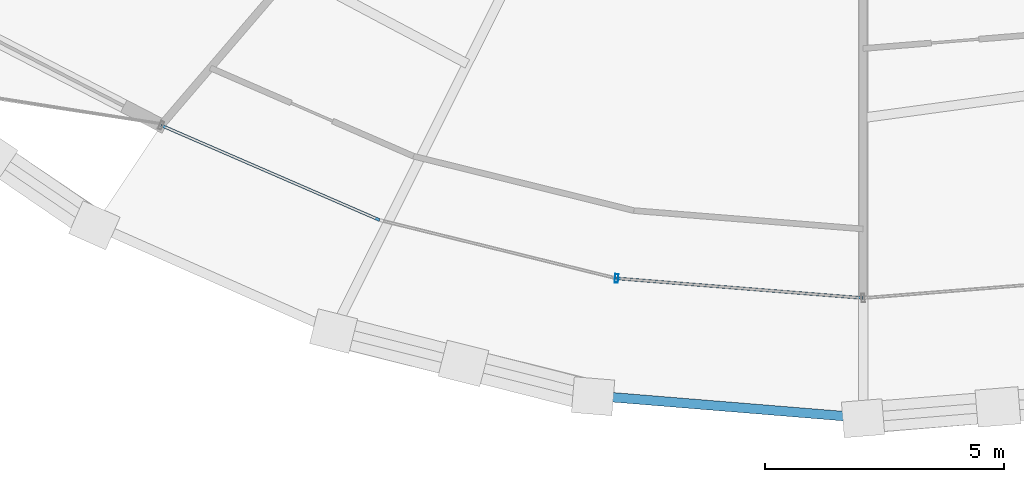
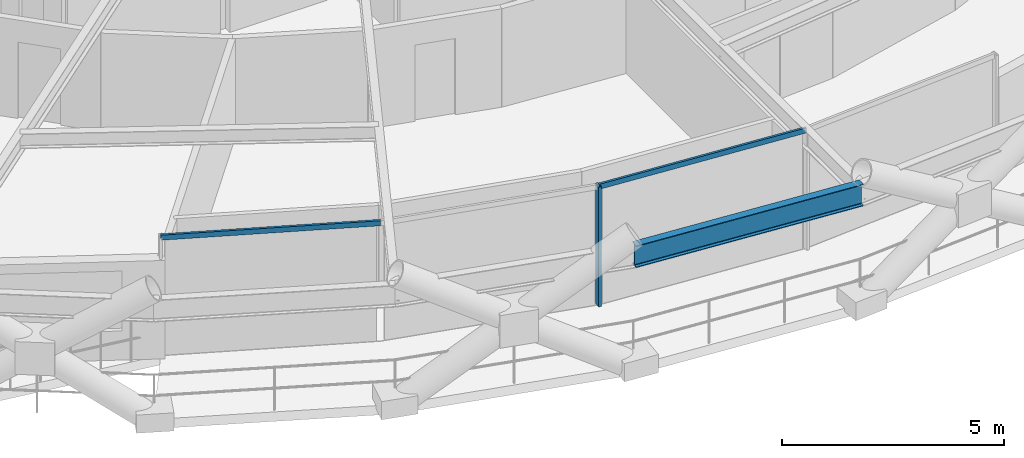
# One storey, part 3 of 22: 3 members, 1 beam, 1 element without a shape of its own.
"""IFC4 building model written with IfcOpenShell, lengths in metres."""

from ifc_helpers import new_model, si_unit, direction, frame, origin, origin_2d, place, context, subcontext, project, spatial, hollow_rectangle, i_section, extrude, material, layer, layer_set, material_profile, profile_set, type_object, element, aggregate, save


model = new_model("IFC4")

# Units and contexts
model_context = context("Model", 3, precision=1e-05, world=origin(), true_north=direction((0.0, 1.0)))
body_context = subcontext(model_context, "Body", "Model", "MODEL_VIEW")
ifc_project = project(units=[si_unit("LENGTHUNIT", "METRE"), si_unit("AREAUNIT", "SQUARE_METRE"), si_unit("VOLUMEUNIT", "CUBIC_METRE"), si_unit("PLANEANGLEUNIT", "RADIAN"), si_unit("MASSUNIT", "GRAM", prefix="KILO")], contexts=[model_context])

# Site, building, storey
site_placement = place(None, origin())
site = spatial("IfcSite", under=ifc_project, at=site_placement, CompositionType="ELEMENT")
building_placement = place(site_placement, origin())
building = spatial("IfcBuilding", under=site, at=building_placement, Name="Veldorina Hangang Commons", CompositionType="ELEMENT")
storey_placement = place(building_placement, frame((0.0, 0.0, 80.800048828125)))
storey = spatial("IfcBuildingStorey", under=building, at=storey_placement, Name="L20", CompositionType="ELEMENT", Elevation=80.800048828125)

# Beam
ifc_material_1 = material(Name="Steel SM420-TMC", Category="steel")
ifc_material_profile_1 = material_profile(ifc_material_1, i_section(OverallWidth=0.199951171875, OverallDepth=0.60009765625, WebThickness=0.010986328125, FlangeThickness=0.01708984375, FilletRadius=0.01806640625, at=origin_2d()), Name="H-600x200x11x17")
ifc_profile_set_1 = profile_set([ifc_material_profile_1], Name="Steel SM420-TMC")
beam_type = type_object("IfcBeamType", Name="BM-RB600", PredefinedType="BEAM", material=ifc_profile_set_1)
beam_placement = place(storey_placement, frame((26.345947265625, 0.473388671875, 3.0400390625), z_axis=(0.996693441702, -0.081253820024, 0.0), x_axis=(0.081253820024, 0.996693441702, 0.0)))
element("IfcBeam", 1, at=beam_placement, inside=storey, type_object=beam_type, Name="L20 perimeter hoop ring beam 23", PredefinedType="BEAM", context=body_context, shape_type="SweptSolid", body=[
    extrude(i_section(OverallWidth=0.199951171875, OverallDepth=0.60009765625, WebThickness=0.010986328125, FlangeThickness=0.01708984375, FilletRadius=0.01806640625, at=origin_2d()), origin(), (0.0, 0.0, 1.0), 5.6728515625),
])

# Curtain wall, members
ifc_material_2 = material(Name="Glass Low-E Triple IGU", Category="glass")
ifc_layer = layer(ifc_material_2, 0.179931640625)
ifc_layer_set = layer_set([ifc_layer], Name="Glass Low-E Triple IGU")
curtain_wall_type = type_object("IfcCurtainWallType", Name="CW-SYS-Z1", PredefinedType="NOTDEFINED", material=ifc_layer_set)
curtain_wall_placement = place(storey_placement, origin())
curtain_wall = element("IfcCurtainWall", 2, at=curtain_wall_placement, inside=storey, type_object=curtain_wall_type, Name="L20 unitised curtain wall CW-L20-R1", PredefinedType="NOTDEFINED")
ifc_material_3 = material(Name="Aluminium Anodized AA6063-T6", Category="aluminium")
ifc_material_profile_2 = material_profile(ifc_material_3, hollow_rectangle(XDim=0.070068359375, YDim=0.179931640625, WallThickness=0.00390625, at=origin_2d()), Name="ALU-RHS-180x70x4")
ifc_profile_set_2 = profile_set([ifc_material_profile_2], Name="Aluminium Anodized AA6063-T6")
member_type_1 = type_object("IfcMemberType", Name="CW-MUL-180", PredefinedType="MULLION", material=ifc_profile_set_2)
member_1_placement = place(storey_placement, frame((26.833984375, 2.9326171875, 0.0), z_axis=(0.0, 0.0, 1.0), x_axis=(0.996823514521, -0.079642205503, 0.0)))
member_1 = element("IfcMember", 3, at=member_1_placement, type_object=member_type_1, Name="CW-L20-R1 vertical mullion 2", PredefinedType="MULLION", context=body_context, shape_type="SweptSolid", body=[
    extrude(hollow_rectangle(XDim=0.070068359375, YDim=0.179931640625, WallThickness=0.00390625, at=origin_2d()), origin(), (0.0, 0.0, 1.0), 3.300048828125),
])
ifc_material_profile_3 = material_profile(ifc_material_3, hollow_rectangle(XDim=0.06005859375, YDim=0.139892578125, WallThickness=0.00341796875, at=origin_2d()), Name="ALU-RHS-140x60x3.5")
ifc_profile_set_3 = profile_set([ifc_material_profile_3], Name="Aluminium Anodized AA6063-T6")
member_type_2 = type_object("IfcMemberType", Name="CW-TRN-140", PredefinedType="USERDEFINED", material=ifc_profile_set_3)
member_2_placement = place(storey_placement, frame((17.28857421875, 6.139892578125, 3.260009765625), z_axis=(0.917474087637, -0.397795548637, 0.0), x_axis=(0.397795548637, 0.917474087637, 0.0)))
member_2 = element("IfcMember", 4, at=member_2_placement, type_object=member_type_2, Name="CW-L20-R1 facet 1 transom 1", ObjectType="TRANSOM", PredefinedType="USERDEFINED", context=body_context, shape_type="SweptSolid", body=[
    extrude(hollow_rectangle(XDim=0.06005859375, YDim=0.139892578125, WallThickness=0.00341796875, at=origin_2d()), origin(), (0.0, 0.0, 1.0), 4.98974609375),
])
member_3_placement = place(storey_placement, frame((26.833984375, 2.9326171875, 3.260009765625), z_axis=(0.996825755222, -0.079614155308, 0.0), x_axis=(0.079614155308, 0.996825755222, 0.0)))
member_3 = element("IfcMember", 5, at=member_3_placement, type_object=member_type_2, Name="CW-L20-R1 facet 3 transom 1", ObjectType="TRANSOM", PredefinedType="USERDEFINED", context=body_context, shape_type="SweptSolid", body=[
    extrude(hollow_rectangle(XDim=0.06005859375, YDim=0.139892578125, WallThickness=0.00341796875, at=origin_2d()), origin(), (0.0, 0.0, 1.0), 5.182373046875),
])
aggregate(curtain_wall, [member_1, member_2, member_3])

save(model, "model.ifc")
